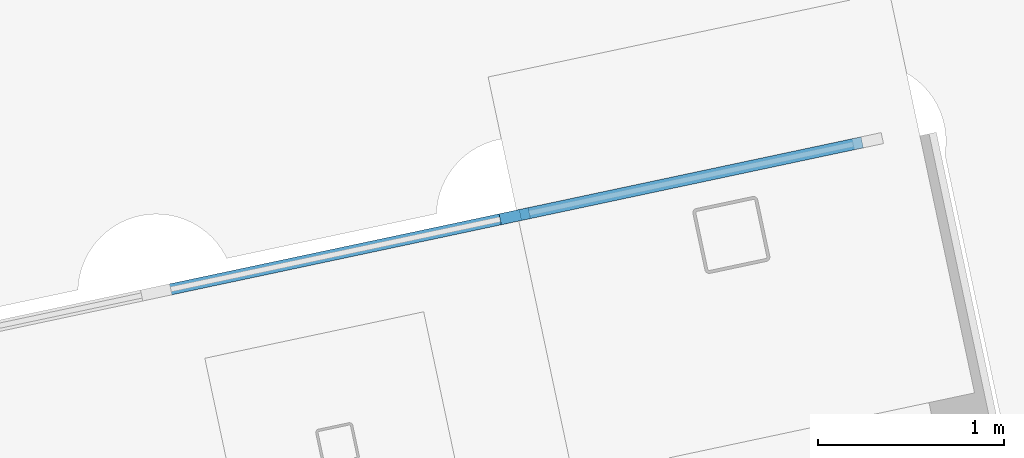
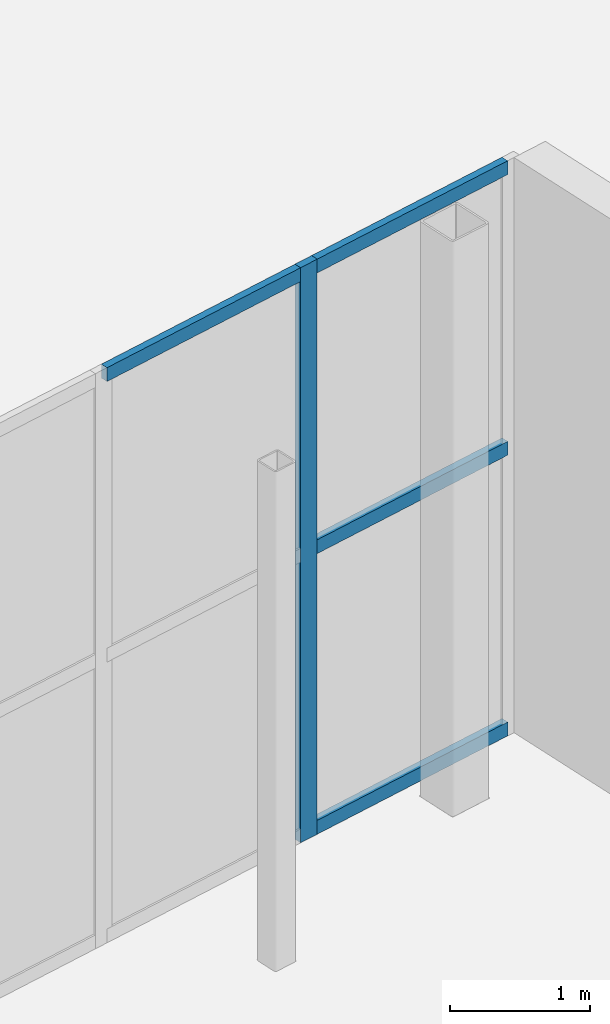
# One storey, part 54 of 157: 5 members, 1 element without a shape of its own.
"""IFC4 building model written with IfcOpenShell, lengths in metres."""

from ifc_helpers import new_model, si_unit, direction, frame, origin, origin_2d, place, context, subcontext, project, spatial, rectangle, extrude, material, layer, layer_set, material_profile, profile_set, type_object, element, aggregate, save


model = new_model("IFC4")

# Units and contexts
model_context = context("Model", 3, precision=1e-05, world=origin(), true_north=direction((0.0, 1.0)))
body_context = subcontext(model_context, "Body", "Model", "MODEL_VIEW")
ifc_project = project(units=[si_unit("LENGTHUNIT", "METRE"), si_unit("AREAUNIT", "SQUARE_METRE"), si_unit("VOLUMEUNIT", "CUBIC_METRE"), si_unit("PLANEANGLEUNIT", "RADIAN"), si_unit("MASSUNIT", "GRAM", prefix="KILO")], contexts=[model_context])

# Site, building, storey
site_placement = place(None, origin())
site = spatial("IfcSite", under=ifc_project, at=site_placement, CompositionType="ELEMENT")
building_placement = place(site_placement, origin())
building = spatial("IfcBuilding", under=site, at=building_placement, Name="Windward Yard Aquatics Centre", CompositionType="ELEMENT")
storey_placement = place(building_placement, origin())
storey = spatial("IfcBuildingStorey", under=building, at=storey_placement, Name="L00", CompositionType="ELEMENT", Elevation=0.0)

# Curtain wall, members
ifc_material_1 = material(Name="Aluminium and glass", Category="aluminium")
ifc_layer = layer(ifc_material_1, 0.159912109375)
ifc_layer_set = layer_set([ifc_layer], Name="D curtain wall 160")
curtain_wall_type = type_object("IfcCurtainWallType", Name="D curtain wall 160", PredefinedType="NOTDEFINED", material=ifc_layer_set)
curtain_wall_placement = place(storey_placement, origin())
curtain_wall = element("IfcCurtainWall", 1, at=curtain_wall_placement, inside=storey, type_object=curtain_wall_type, Name="North glazing L00", PredefinedType="NOTDEFINED")
ifc_material_2 = material(Name="Aluminium extrusion", Category="aluminium")
ifc_material_profile_1 = material_profile(ifc_material_2, rectangle(XDim=0.06005859375, YDim=0.159912109375, at=origin_2d()), Name="MULLION 60X160")
ifc_profile_set_1 = profile_set([ifc_material_profile_1], Name="Aluminium extrusion")
member_type_1 = type_object("IfcMemberType", Name="D curtain wall mullion 60X160", PredefinedType="MULLION", material=ifc_profile_set_1)
member_1_placement = place(storey_placement, frame((190.980712890625, 82.138916015625, 0.0), z_axis=(0.0, 0.0, 1.0), x_axis=(-0.207911718662, 0.978147594815, 0.0)))
member_1 = element("IfcMember", 2, at=member_1_placement, type_object=member_type_1, Name="DCW-L00 mullion 19", PredefinedType="MULLION", context=body_context, shape_type="SweptSolid", body=[
    extrude(rectangle(XDim=0.06005859375, YDim=0.159912109375, at=origin_2d()), origin(), (0.0, 0.0, 1.0), 5.0),
])
ifc_material_profile_2 = material_profile(ifc_material_2, rectangle(XDim=0.06005859375, YDim=0.1201171875, at=origin_2d()), Name="TRANSOM 60X120")
ifc_profile_set_2 = profile_set([ifc_material_profile_2], Name="Aluminium extrusion")
member_type_2 = type_object("IfcMemberType", Name="D curtain wall transom 60X120", PredefinedType="USERDEFINED", material=ifc_profile_set_2)
member_2_placement = place(storey_placement, frame((189.08740234375, 81.736328125, 4.93994140625), z_axis=(0.978144196583, 0.207927705443, 0.0), x_axis=(-0.207927705443, 0.978144196583, 0.0)))
member_2 = element("IfcMember", 3, at=member_2_placement, type_object=member_type_2, Name="DCW-L00 transom 18.3", ObjectType="TRANSOM", PredefinedType="USERDEFINED", context=body_context, shape_type="SweptSolid", body=[
    extrude(rectangle(XDim=0.06005859375, YDim=0.1201171875, at=origin_2d()), origin(), (0.0, 0.0, 1.0), 1.90576171875),
])
member_3_placement = place(storey_placement, frame((191.010009765625, 82.14501953125, 0.06005859375), z_axis=(0.978136354166, 0.207964594726, 0.0), x_axis=(-0.207964594726, 0.978136354166, 0.0)))
member_3 = element("IfcMember", 4, at=member_3_placement, type_object=member_type_2, Name="DCW-L00 transom 19.1", ObjectType="TRANSOM", PredefinedType="USERDEFINED", context=body_context, shape_type="SweptSolid", body=[
    extrude(rectangle(XDim=0.06005859375, YDim=0.1201171875, at=origin_2d()), origin(), (0.0, 0.0, 1.0), 1.8759765625),
])
member_4_placement = place(storey_placement, frame((191.010009765625, 82.14501953125, 2.5), z_axis=(0.978136354166, 0.207964594726, 0.0), x_axis=(-0.207964594726, 0.978136354166, 0.0)))
member_4 = element("IfcMember", 5, at=member_4_placement, type_object=member_type_2, Name="DCW-L00 transom 19.2", ObjectType="TRANSOM", PredefinedType="USERDEFINED", context=body_context, shape_type="SweptSolid", body=[
    extrude(rectangle(XDim=0.06005859375, YDim=0.1201171875, at=origin_2d()), origin(), (0.0, 0.0, 1.0), 1.8759765625),
])
member_5_placement = place(storey_placement, frame((191.010009765625, 82.14501953125, 4.93994140625), z_axis=(0.978136354166, 0.207964594726, 0.0), x_axis=(-0.207964594726, 0.978136354166, 0.0)))
member_5 = element("IfcMember", 6, at=member_5_placement, type_object=member_type_2, Name="DCW-L00 transom 19.3", ObjectType="TRANSOM", PredefinedType="USERDEFINED", context=body_context, shape_type="SweptSolid", body=[
    extrude(rectangle(XDim=0.06005859375, YDim=0.1201171875, at=origin_2d()), origin(), (0.0, 0.0, 1.0), 1.8759765625),
])
aggregate(curtain_wall, [member_1, member_2, member_3, member_4, member_5])

save(model, "model.ifc")
